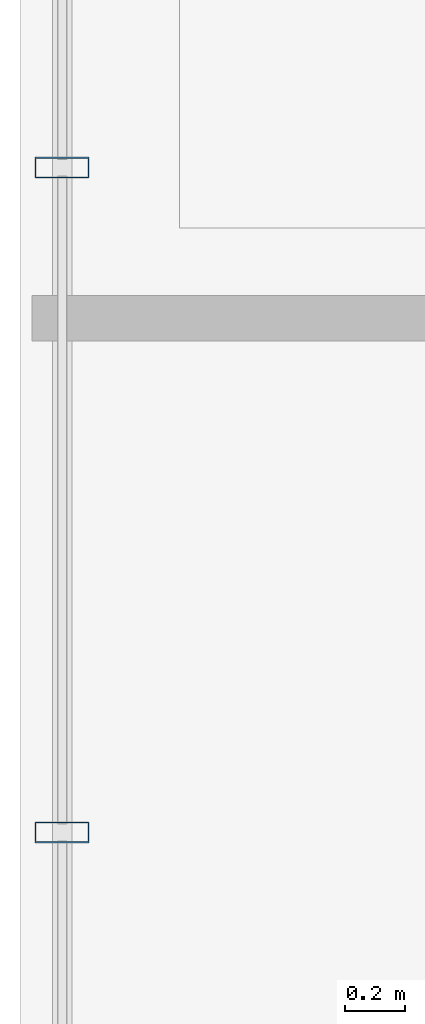
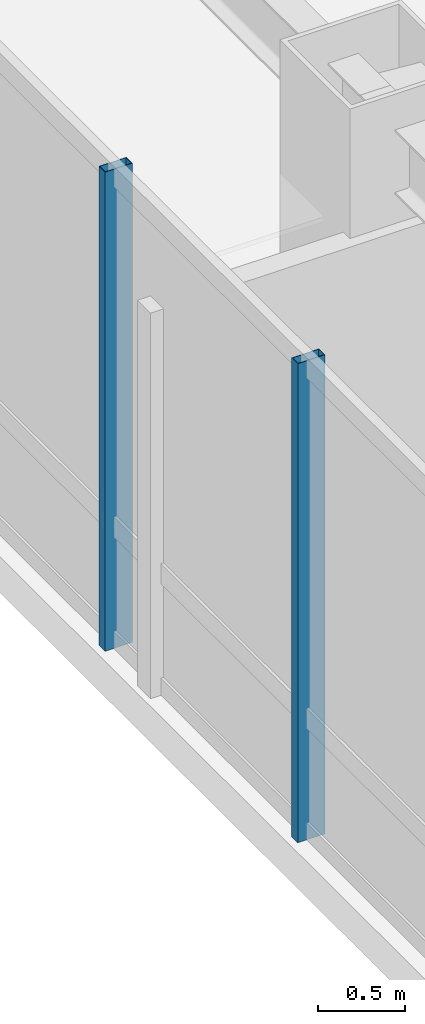
# One storey, part 6 of 28: 2 members, 1 element without a shape of its own.
"""IFC4 building model written with IfcOpenShell, lengths in metres."""

import ifcopenshell
import ifcopenshell.guid

model = None  # the IFC model being written
_history = None  # IfcOwnerHistory: only IFC2X3 demands one
_inside = {}  # id of a spatial element -> (the spatial element, [elements in it])
_under = {}  # id of a project, library or spatial element -> (it, [spatial elements below it])
_declared = {}  # id of a project -> (the project, [libraries it declares])
_typed = {}  # id of a type object -> (the type object, [elements of that type])
_made_of = {}  # id of a material, layer set ... -> (it, [elements and type objects made of it])


def new_model(schema):
    """Start an empty IFC model of exactly this schema.

    Asked for "IFC4X3", IfcOpenShell would pick the latest addendum, in which some entities
    have other attributes; the version numbers below select the first issue.
    IFC2X3 requires an IfcOwnerHistory on every rooted entity: one is made here for all.
    """
    global model, _history
    if schema == "IFC4X3":
        model = ifcopenshell.file(schema_version=(4, 3, 0, 0))
    else:
        model = ifcopenshell.file(schema=schema)
    _inside.clear()
    _under.clear()
    _declared.clear()
    _typed.clear()
    _made_of.clear()
    _history = None
    if model.schema == "IFC2X3":
        org = make("IfcOrganization", Name="unknown")
        user = make(
            "IfcPersonAndOrganization",
            ThePerson=make("IfcPerson", FamilyName="unknown"),
            TheOrganization=org,
        )
        app = make(
            "IfcApplication",
            ApplicationDeveloper=org,
            Version="unknown",
            ApplicationFullName="unknown",
            ApplicationIdentifier="unknown",
        )
        _history = make(
            "IfcOwnerHistory",
            OwningUser=user,
            OwningApplication=app,
            ChangeAction="ADDED",
            CreationDate=0,
        )
    return model


def make(cls, **values):
    """One entity of the class cls with the attributes given. An attribute that is None is left unset."""
    return model.create_entity(
        cls, **{name: value for name, value in values.items() if value is not None}
    )


def rooted(cls, **values):
    """An entity with a GlobalId (a new one), such as an element, a storey or a relation."""
    return make(cls, GlobalId=ifcopenshell.guid.new(), OwnerHistory=_history, **values)


def si_unit(unit_type, name, prefix=None):
    """IfcSIUnit, for example si_unit("LENGTHUNIT", "METRE", prefix="MILLI")."""
    return make("IfcSIUnit", UnitType=unit_type, Prefix=prefix, Name=name)


def assignment(units):
    """IfcUnitAssignment: the units of a project."""
    return None if units is None else make("IfcUnitAssignment", Units=units)


def point(xyz):
    """IfcCartesianPoint."""
    return None if xyz is None else make("IfcCartesianPoint", Coordinates=xyz)


def direction(xyz):
    """IfcDirection."""
    return None if xyz is None else make("IfcDirection", DirectionRatios=xyz)


def frame(location, z_axis=None, x_axis=None):
    """IfcAxis2Placement3D, a coordinate frame: its origin and axes. An axis left out is left unset."""
    return make(
        "IfcAxis2Placement3D",
        Location=point(location),
        Axis=direction(z_axis),
        RefDirection=direction(x_axis),
    )


def frame_2d(location, x_axis=None):
    """IfcAxis2Placement2D, a coordinate frame in the plane: its origin and x axis."""
    return make(
        "IfcAxis2Placement2D", Location=point(location), RefDirection=direction(x_axis)
    )


def origin():
    """The frame at (0, 0, 0) with its axes left unset."""
    return frame((0.0, 0.0, 0.0))


def origin_2d():
    """The frame at (0, 0) in the plane with its x axis left unset."""
    return frame_2d((0.0, 0.0))


def place(relative_to, where):
    """IfcLocalPlacement: puts the frame where relative to a parent placement (None: the world)."""
    return make(
        "IfcLocalPlacement", PlacementRelTo=relative_to, RelativePlacement=where
    )


def context(
    kind, dimensions, precision=None, world=None, true_north=None, identifier=None
):
    """IfcGeometricRepresentationContext, for example the 3D "Model" context."""
    return make(
        "IfcGeometricRepresentationContext",
        ContextIdentifier=identifier,
        ContextType=kind,
        CoordinateSpaceDimension=dimensions,
        Precision=precision,
        WorldCoordinateSystem=world,
        TrueNorth=true_north,
    )


def subcontext(parent, identifier, kind, view, scale=None):
    """IfcGeometricRepresentationSubContext, for example "Body" below "Model"."""
    return make(
        "IfcGeometricRepresentationSubContext",
        ContextIdentifier=identifier,
        ContextType=kind,
        ParentContext=parent,
        TargetScale=scale,
        TargetView=view,
    )


def project(units=None, contexts=None):
    """IfcProject with its units and contexts."""
    return rooted(
        "IfcProject",
        Name="project",
        RepresentationContexts=contexts,
        UnitsInContext=assignment(units),
    )


def spatial(cls, under=None, at=None, **own):
    """A site, building, storey or space (cls), placed at a placement, below another one or the project."""
    s = rooted(cls, ObjectPlacement=at, **own)
    if under is not None:
        _under.setdefault(under.id(), (under, []))[1].append(s)
    return s


def profile(cls, at=None, kind="AREA", **sizes):
    """A parametric profile (cls). Its sizes go by their IFC names, for example OverallWidth=200.0."""
    return make(cls, ProfileType=kind, Position=at, **sizes)


def hollow_rectangle(**sizes):
    """IfcRectangleHollowProfileDef."""
    return profile("IfcRectangleHollowProfileDef", **sizes)


def extrude(swept, where, along, depth):
    """IfcExtrudedAreaSolid: the profile swept, set in the frame where, extruded along a direction by depth."""
    return make(
        "IfcExtrudedAreaSolid",
        SweptArea=swept,
        Position=where,
        ExtrudedDirection=direction(along),
        Depth=depth,
    )


def shape(context_of_items, identifier, shape_type, items):
    """IfcShapeRepresentation: the items that make up one representation, for example the "Body"."""
    return make(
        "IfcShapeRepresentation",
        ContextOfItems=context_of_items,
        RepresentationIdentifier=identifier,
        RepresentationType=shape_type,
        Items=items,
    )


def material(Name=None, Category=None):
    """IfcMaterial."""
    return make("IfcMaterial", Name=Name, Category=Category)


def layer(
    of_material, thickness, ventilated=None, Name=None, Category=None, Priority=None
):
    """IfcMaterialLayer: one layer of a wall or slab, of a material (None: an air gap)."""
    return make(
        "IfcMaterialLayer",
        Material=of_material,
        LayerThickness=thickness,
        IsVentilated=ventilated,
        Name=Name,
        Category=Category,
        Priority=Priority,
    )


def layer_set(layers, Name=None):
    """IfcMaterialLayerSet."""
    return make("IfcMaterialLayerSet", MaterialLayers=layers, LayerSetName=Name)


def material_profile(
    of_material, cross_section, Name=None, Category=None, Priority=None
):
    """IfcMaterialProfile: a cross section and its material."""
    return make(
        "IfcMaterialProfile",
        Name=Name,
        Material=of_material,
        Profile=cross_section,
        Priority=Priority,
        Category=Category,
    )


def profile_set(profiles, Name=None, composite=None):
    """IfcMaterialProfileSet."""
    return make(
        "IfcMaterialProfileSet",
        Name=Name,
        MaterialProfiles=profiles,
        CompositeProfile=composite,
    )


def made_of(thing, what):
    """Note that an element or type object is made of a material, layer set ...; save() writes the relation."""
    if what is not None:
        _made_of.setdefault(what.id(), (what, []))[1].append(thing)
    return thing


def type_object(cls, material=None, **own):
    """A type object (cls), such as IfcWallType, which elements share."""
    return made_of(rooted(cls, **own), material)


def element(
    cls,
    number,
    at=None,
    inside=None,
    cuts=None,
    type_object=None,
    material=None,
    context=None,
    identifier="Body",
    shape_type=None,
    held_by="IfcProductDefinitionShape",
    body=None,
    shapes=None,
    **own,
):
    """One element of the class cls, such as IfcWall. Its Tag is "e" and its number.

    at: its placement. inside: the storey or other place that contains it. cuts: it is an
    opening in that element (IfcRelVoidsElement). A single representation is given by context,
    identifier, shape_type and body (its items); several are given by shapes. held_by: the class
    of the entity that holds the representations. save() writes the other relations.
    """
    e = rooted(cls, Tag="e%d" % number, ObjectPlacement=at, **own)
    if body is not None:
        shapes = [shape(context, identifier, shape_type, body)]
    if shapes is not None:
        e.Representation = make(held_by, Representations=shapes)
    if inside is not None:
        _inside.setdefault(inside.id(), (inside, []))[1].append(e)
    if cuts is not None:
        rooted(
            "IfcRelVoidsElement", RelatingBuildingElement=cuts, RelatedOpeningElement=e
        )
    if type_object is not None:
        _typed.setdefault(type_object.id(), (type_object, []))[1].append(e)
    return made_of(e, material)


def aggregate(whole, parts):
    """IfcRelAggregates: a whole, such as a stair, and the parts it consists of."""
    return rooted("IfcRelAggregates", RelatingObject=whole, RelatedObjects=parts)


def save(model, path):
    """Write the relations noted so far, then the file.

    IfcRelAggregates (storeys below a building ...), IfcRelContainedInSpatialStructure (elements
    in a storey), IfcRelDefinesByType, IfcRelAssociatesMaterial and IfcRelDeclares: one each for
    every whole, place, type object, material and project.
    """
    for whole, parts in _under.values():
        aggregate(whole, parts)
    for where, things in _inside.values():
        rooted(
            "IfcRelContainedInSpatialStructure",
            RelatedElements=things,
            RelatingStructure=where,
        )
    for kind, things in _typed.values():
        rooted("IfcRelDefinesByType", RelatedObjects=things, RelatingType=kind)
    for what, things in _made_of.values():
        rooted("IfcRelAssociatesMaterial", RelatedObjects=things, RelatingMaterial=what)
    for by, libraries in _declared.values():
        rooted("IfcRelDeclares", RelatingContext=by, RelatedDefinitions=libraries)
    model.write(path)


model = new_model("IFC4")

# Units and contexts
model_context = context("Model", 3, precision=1e-05, world=origin(), true_north=direction((0.0, 1.0)))
body_context = subcontext(model_context, "Body", "Model", "MODEL_VIEW")
ifc_project = project(units=[si_unit("LENGTHUNIT", "METRE"), si_unit("AREAUNIT", "SQUARE_METRE"), si_unit("VOLUMEUNIT", "CUBIC_METRE"), si_unit("PLANEANGLEUNIT", "RADIAN"), si_unit("MASSUNIT", "GRAM", prefix="KILO")], contexts=[model_context])

# Site, building, storey
site_placement = place(None, origin())
site = spatial("IfcSite", under=ifc_project, at=site_placement, CompositionType="ELEMENT")
building_placement = place(site_placement, origin())
building = spatial("IfcBuilding", under=site, at=building_placement, Name="Hatsunagi Terrace Concourse", CompositionType="ELEMENT")
storey_placement = place(building_placement, frame((0.0, 0.0, 160.050048828125)))
storey = spatial("IfcBuildingStorey", under=building, at=storey_placement, Name="L42", CompositionType="ELEMENT", Elevation=160.050048828125)

# Curtain wall, members
ifc_material_1 = material(Name="Anodised Aluminium Alloy 6063-T5", Category="aluminium")
ifc_layer = layer(ifc_material_1, 0.199951171875)
ifc_layer_set = layer_set([ifc_layer], Name="OfficeZone1_CW03")
curtain_wall_type = type_object("IfcCurtainWallType", Name="OfficeZone1_CW03", PredefinedType="NOTDEFINED", material=ifc_layer_set)
curtain_wall_placement = place(storey_placement, origin())
curtain_wall = element("IfcCurtainWall", 1, at=curtain_wall_placement, inside=storey, type_object=curtain_wall_type, Name="Unitised Curtain Wall CW-03 CW-L42-09", PredefinedType="NOTDEFINED")
ifc_material_2 = material(Name="Anodised Aluminium Alloy 6063-T5", Category="aluminium")
ifc_material_profile = material_profile(ifc_material_2, hollow_rectangle(XDim=0.070068359375, YDim=0.179931640625, WallThickness=0.00390625, at=origin_2d()), Name="ALU-MUL-180x70x4")
ifc_profile_set = profile_set([ifc_material_profile], Name="Anodised Aluminium Alloy 6063-T5")
member_type = type_object("IfcMemberType", Name="CurtainWallMullion_180x70", PredefinedType="MULLION", material=ifc_profile_set)
member_1_placement = place(storey_placement, frame((9.739990234375, 34.69189453125, 0.0), z_axis=(0.0, 0.0, 1.0), x_axis=(0.0, 1.0, 0.0)))
member_1 = element("IfcMember", 2, at=member_1_placement, type_object=member_type, Name="Curtain Wall Mullion MUL-02", PredefinedType="MULLION", context=body_context, shape_type="SweptSolid", body=[
    extrude(hollow_rectangle(XDim=0.070068359375, YDim=0.179931640625, WallThickness=0.00390625, at=origin_2d()), origin(), (0.0, 0.0, 1.0), 3.349853515625),
])
member_2_placement = place(storey_placement, frame((9.739990234375, 36.89990234375, 0.0), z_axis=(0.0, 0.0, 1.0), x_axis=(0.0, 1.0, 0.0)))
member_2 = element("IfcMember", 3, at=member_2_placement, type_object=member_type, Name="Curtain Wall Mullion MUL-02", PredefinedType="MULLION", context=body_context, shape_type="SweptSolid", body=[
    extrude(hollow_rectangle(XDim=0.070068359375, YDim=0.179931640625, WallThickness=0.00390625, at=origin_2d()), origin(), (0.0, 0.0, 1.0), 3.349853515625),
])
aggregate(curtain_wall, [member_1, member_2])

save(model, "model.ifc")
